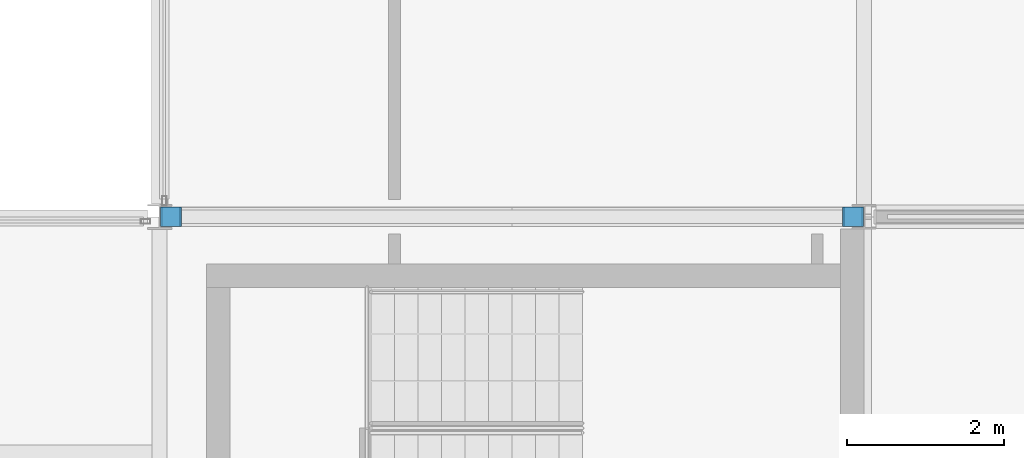
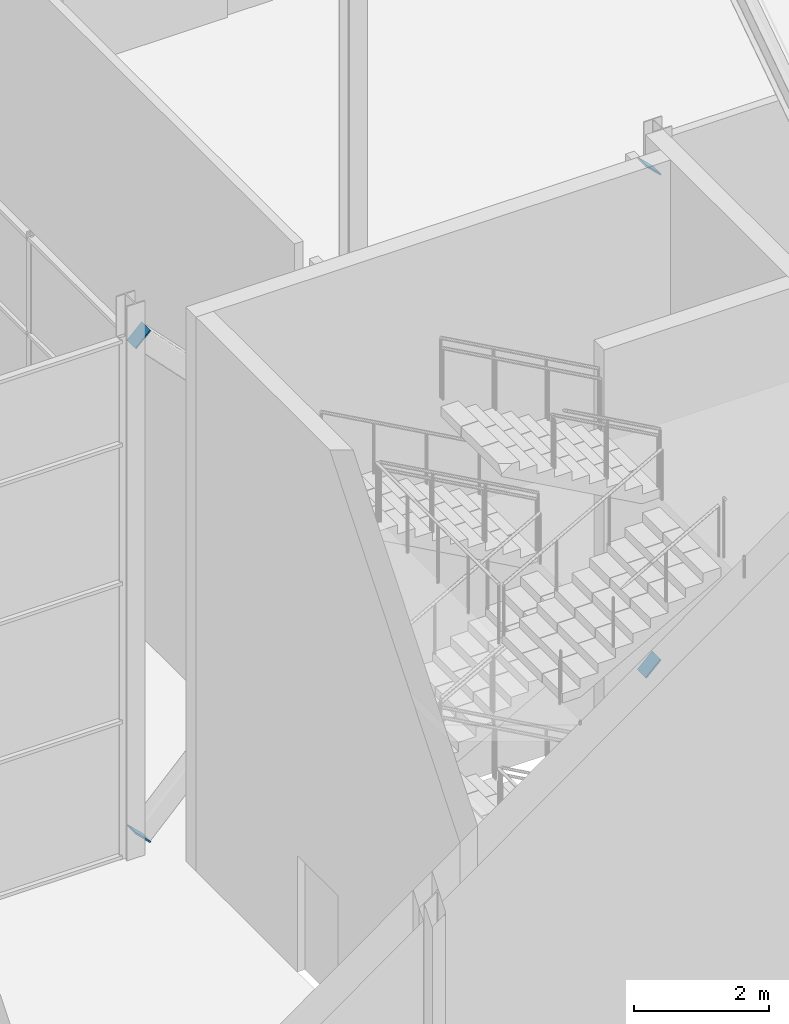
# One storey, part 101 of 111: 4 discrete accessories.
"""IFC4 building model written with IfcOpenShell, lengths in metres."""

from ifc_helpers import new_model, si_unit, direction, frame, origin, place, context, subcontext, project, spatial, polyline, outline, extrude, material, layer, layer_set, type_object, element, save


model = new_model("IFC4")

# Units and contexts
model_context = context("Model", 3, precision=1e-05, world=origin(), true_north=direction((0.0, 1.0)))
body_context = subcontext(model_context, "Body", "Model", "MODEL_VIEW")
ifc_project = project(units=[si_unit("LENGTHUNIT", "METRE"), si_unit("AREAUNIT", "SQUARE_METRE"), si_unit("VOLUMEUNIT", "CUBIC_METRE"), si_unit("PLANEANGLEUNIT", "RADIAN"), si_unit("MASSUNIT", "GRAM", prefix="KILO")], contexts=[model_context])

# Site, building, storey
site_placement = place(None, origin())
site = spatial("IfcSite", under=ifc_project, at=site_placement, CompositionType="ELEMENT")
building_placement = place(site_placement, origin())
building = spatial("IfcBuilding", under=site, at=building_placement, Name="Shorebreak Coast Museum", CompositionType="ELEMENT")
storey_placement = place(building_placement, frame((0.0, 0.0, 16.0)))
storey = spatial("IfcBuildingStorey", under=building, at=storey_placement, Name="L03", CompositionType="ELEMENT", Elevation=16.0)

# Discrete accessories
ifc_material = material(Name="Steel Grade 300", Category="steel")
ifc_layer = layer(ifc_material, 0.02490234375)
ifc_layer_set = layer_set([ifc_layer], Name="Steel Grade 300")
discrete_accessory_type = type_object("IfcDiscreteAccessoryType", Name="End plate 250 x 350 x 25", PredefinedType="BRACKET", material=ifc_layer_set)
discrete_accessory_1_placement = place(storey_placement, frame((108.2802734375, 62.875, 0.17822265625), z_axis=(0.695862655267, 0.0, 0.718174884694), x_axis=(0.0, 1.0, 0.0)))
element("IfcDiscreteAccessory", 1, at=discrete_accessory_1_placement, inside=storey, type_object=discrete_accessory_type, Name="End plate X-brace bay 02 L03 diagonal 1 end 1", PredefinedType="BRACKET", context=body_context, shape_type="SweptSolid", body=[
    extrude(outline(polyline([(0.0, 0.0), (0.25, 0.0), (0.25, 0.35014430204856983), (0.0, 0.35014430204856983), (0.0, 0.0)])), origin(), (0.0, 0.0, -1.0), 0.02490234375),
])
discrete_accessory_2_placement = place(storey_placement, frame((116.990478515625, 62.875, 9.171142578125), z_axis=(0.696211202838, 0.0, 0.717837001723), x_axis=(0.0, 1.0, 0.0)))
element("IfcDiscreteAccessory", 2, at=discrete_accessory_2_placement, inside=storey, type_object=discrete_accessory_type, Name="End plate X-brace bay 02 L03 diagonal 1 end 2", PredefinedType="BRACKET", context=body_context, shape_type="SweptSolid", body=[
    extrude(outline(polyline([(0.0, 0.0), (0.25, 0.0), (0.25, 0.349969007618514), (0.0, 0.349969007618514), (0.0, 0.0)])), origin(), (0.0, 0.0, -1.0), 0.02490234375),
])
discrete_accessory_3_placement = place(storey_placement, frame((116.7216796875, 63.125, 0.17822265625), z_axis=(-0.695862655267, 0.0, 0.718174884694), x_axis=(0.0, -1.0, 0.0)))
element("IfcDiscreteAccessory", 3, at=discrete_accessory_3_placement, inside=storey, type_object=discrete_accessory_type, Name="End plate X-brace bay 02 L03 diagonal 2 end 1", PredefinedType="BRACKET", context=body_context, shape_type="SweptSolid", body=[
    extrude(outline(polyline([(0.0, 0.0), (0.25, 0.0), (0.25, 0.35014430204856983), (0.0, 0.35014430204856983), (0.0, 0.0)])), origin(), (0.0, 0.0, -1.0), 0.02490234375),
])
discrete_accessory_4_placement = place(storey_placement, frame((108.011474609375, 63.125, 9.171142578125), z_axis=(-0.696211202838, 0.0, 0.717837001723), x_axis=(0.0, -1.0, 0.0)))
element("IfcDiscreteAccessory", 4, at=discrete_accessory_4_placement, inside=storey, type_object=discrete_accessory_type, Name="End plate X-brace bay 02 L03 diagonal 2 end 2", PredefinedType="BRACKET", context=body_context, shape_type="SweptSolid", body=[
    extrude(outline(polyline([(0.0, 0.0), (0.25, 0.0), (0.25, 0.349969007618514), (0.0, 0.349969007618514), (0.0, 0.0)])), origin(), (0.0, 0.0, -1.0), 0.02490234375),
])

save(model, "model.ifc")
